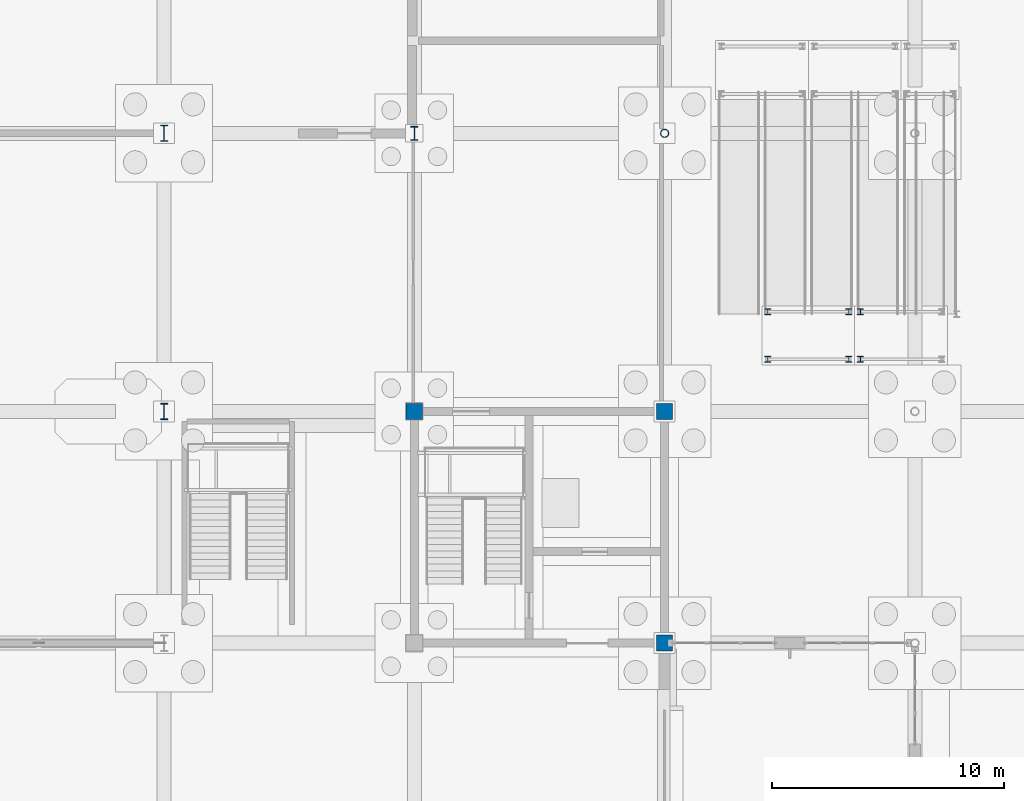
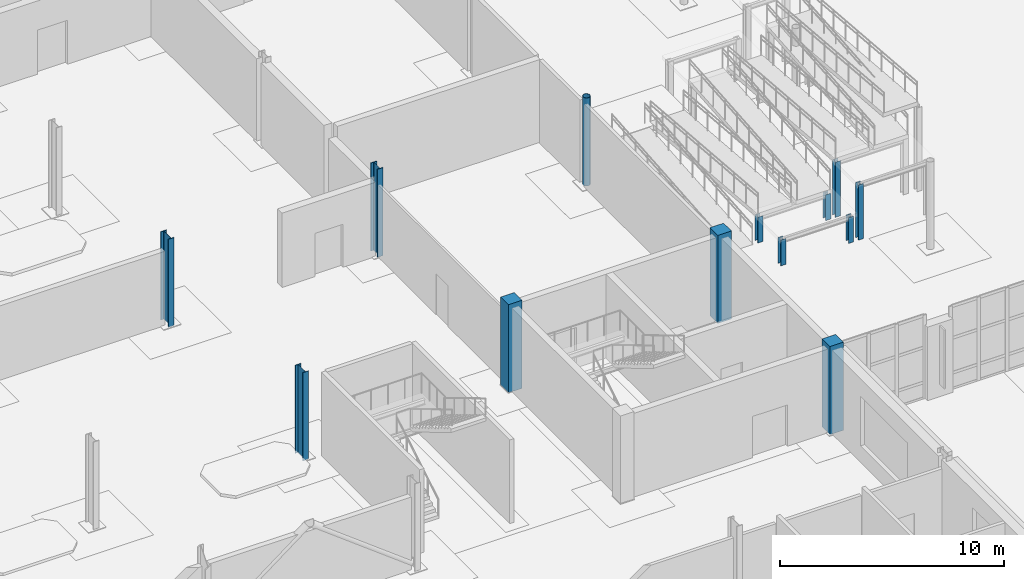
# One storey, part 11 of 73: 13 columns.
"""IFC4 building model written with IfcOpenShell, lengths in metres."""

from ifc_helpers import new_model, si_unit, direction, frame, origin, origin_2d, place, context, subcontext, project, spatial, rectangle, hollow_circle, i_section, extrude, material, material_profile, profile_set, type_object, element, save


model = new_model("IFC4")

# Units and contexts
model_context = context("Model", 3, precision=1e-05, world=origin(), true_north=direction((0.0, 1.0)))
body_context = subcontext(model_context, "Body", "Model", "MODEL_VIEW")
ifc_project = project(units=[si_unit("LENGTHUNIT", "METRE"), si_unit("AREAUNIT", "SQUARE_METRE"), si_unit("VOLUMEUNIT", "CUBIC_METRE"), si_unit("PLANEANGLEUNIT", "RADIAN"), si_unit("MASSUNIT", "GRAM", prefix="KILO")], contexts=[model_context])

# Site, building, storey
site_placement = place(None, origin())
site = spatial("IfcSite", under=ifc_project, at=site_placement, CompositionType="ELEMENT")
building_placement = place(site_placement, origin())
building = spatial("IfcBuilding", under=site, at=building_placement, Name="Tasgan Crest Museum", CompositionType="ELEMENT")
storey_placement = place(building_placement, origin())
storey = spatial("IfcBuildingStorey", under=building, at=storey_placement, Name="L00", CompositionType="ELEMENT", Elevation=0.0)

# Columns
ifc_material_1 = material(Name="Steel S355K2", Category="steel")
ifc_material_profile_1 = material_profile(ifc_material_1, hollow_circle(Radius=0.177734375, WallThickness=0.01611328125, at=origin_2d()), Name="CHS 355.6x16")
ifc_profile_set_1 = profile_set([ifc_material_profile_1], Name="Steel S355K2")
column_type_1 = type_object("IfcColumnType", Name="COL-CHS355", PredefinedType="COLUMN", material=ifc_profile_set_1)
column_1_placement = place(storey_placement, frame((54.0, 62.0, 0.0), z_axis=(0.0, 0.0, 1.0), x_axis=(1.0, 0.0, 0.0)))
element("IfcColumn", 1, at=column_1_placement, inside=storey, type_object=column_type_1, Name="Column 6/G L00", PredefinedType="COLUMN", context=body_context, shape_type="SweptSolid", body=[
    extrude(hollow_circle(Radius=0.177734375, WallThickness=0.01611328125, at=origin_2d()), origin(), (0.0, 0.0, 1.0), 4.800048828125),
])
ifc_material_2 = material(Name="Steel S355K2", Category="steel")
ifc_material_profile_2 = material_profile(ifc_material_2, i_section(OverallWidth=0.300048828125, OverallDepth=0.60009765625, WebThickness=0.015380859375, FlangeThickness=0.030029296875, FilletRadius=0.027099609375, at=origin_2d()), Name="HEB 600")
ifc_profile_set_2 = profile_set([ifc_material_profile_2], Name="Steel S355K2")
column_type_2 = type_object("IfcColumnType", Name="COL-HEB600", PredefinedType="COLUMN", material=ifc_profile_set_2)
column_2_placement = place(storey_placement, frame((43.199951171875, 62.0, 0.0), z_axis=(0.0, 0.0, 1.0), x_axis=(1.0, 0.0, 0.0)))
element("IfcColumn", 2, at=column_2_placement, inside=storey, type_object=column_type_2, Name="Column 5/G L00", PredefinedType="COLUMN", context=body_context, shape_type="SweptSolid", body=[
    extrude(i_section(OverallWidth=0.300048828125, OverallDepth=0.60009765625, WebThickness=0.015380859375, FlangeThickness=0.030029296875, FilletRadius=0.027099609375, at=origin_2d()), origin(), (0.0, 0.0, 1.0), 4.800048828125),
])
ifc_material_3 = material(Name="Steel S355K2", Category="steel")
ifc_material_profile_3 = material_profile(ifc_material_3, i_section(OverallWidth=0.300048828125, OverallDepth=0.699951171875, WebThickness=0.01708984375, FlangeThickness=0.031982421875, FilletRadius=0.027099609375, at=origin_2d()), Name="HEB 700")
ifc_profile_set_3 = profile_set([ifc_material_profile_3], Name="Steel S355K2")
column_type_3 = type_object("IfcColumnType", Name="COL-HEB700", PredefinedType="COLUMN", material=ifc_profile_set_3)
for number, where, z_axis, x_axis, name in (
    (3, (32.39990234375, 50.0, 0.0), (0.0, 0.0, 1.0), (1.0, 0.0, 0.0), "Column 4/F L00"),
    (4, (32.39990234375, 62.0, 0.0), (0.0, 0.0, 1.0), (1.0, 0.0, 0.0), "Column 4/G L00"),
):
    element("IfcColumn", number, at=place(storey_placement, frame(where, z_axis=z_axis, x_axis=x_axis)), inside=storey, type_object=column_type_3, Name=name, PredefinedType="COLUMN", context=body_context, shape_type="SweptSolid", body=[
        extrude(i_section(OverallWidth=0.300048828125, OverallDepth=0.699951171875, WebThickness=0.01708984375, FlangeThickness=0.031982421875, FilletRadius=0.027099609375, at=origin_2d()), origin(), (0.0, 0.0, 1.0), 4.800048828125),
    ])
ifc_material_4 = material(Name="Steel S355J2", Category="steel")
ifc_material_profile_4 = material_profile(ifc_material_4, i_section(OverallWidth=0.260009765625, OverallDepth=0.260009765625, WebThickness=0.010009765625, FlangeThickness=0.017578125, FilletRadius=0.02392578125, at=origin_2d()), Name="HEB 260")
ifc_profile_set_4 = profile_set([ifc_material_profile_4], Name="Steel S355J2")
column_type_4 = type_object("IfcColumnType", Name="COL-RAMP-HEB260", PredefinedType="COLUMN", material=ifc_profile_set_4)
for number, where, z_axis, x_axis, name in (
    (5, (58.449951171875, 52.25, 0.0), (0.0, 0.0, 1.0), (1.0, 0.0, 0.0), "Ramp landing post 2"),
    (6, (58.449951171875, 54.300048828125, 0.0), (0.0, 0.0, 1.0), (1.0, 0.0, 0.0), "Ramp landing post 2"),
    (7, (61.949951171875, 52.25, 0.0), (0.0, 0.0, 1.0), (1.0, 0.0, 0.0), "Ramp landing post 2"),
    (8, (61.949951171875, 54.300048828125, 0.0), (0.0, 0.0, 1.0), (1.0, 0.0, 0.0), "Ramp landing post 2"),
):
    element("IfcColumn", number, at=place(storey_placement, frame(where, z_axis=z_axis, x_axis=x_axis)), inside=storey, type_object=column_type_4, Name=name, PredefinedType="COLUMN", context=body_context, shape_type="SweptSolid", body=[
        extrude(i_section(OverallWidth=0.260009765625, OverallDepth=0.260009765625, WebThickness=0.010009765625, FlangeThickness=0.017578125, FilletRadius=0.02392578125, at=origin_2d()), origin(), (0.0, 0.0, 1.0), 1.39990234375),
    ])
for number, where, z_axis, x_axis, name in (
    (9, (62.449951171875, 52.25, 0.0), (0.0, 0.0, 1.0), (1.0, 0.0, 0.0), "Ramp landing post 4"),
    (10, (62.449951171875, 54.300048828125, 0.0), (0.0, 0.0, 1.0), (1.0, 0.0, 0.0), "Ramp landing post 4"),
):
    element("IfcColumn", number, at=place(storey_placement, frame(where, z_axis=z_axis, x_axis=x_axis)), inside=storey, type_object=column_type_4, Name=name, PredefinedType="COLUMN", context=body_context, shape_type="SweptSolid", body=[
        extrude(i_section(OverallWidth=0.260009765625, OverallDepth=0.260009765625, WebThickness=0.010009765625, FlangeThickness=0.017578125, FilletRadius=0.02392578125, at=origin_2d()), origin(), (0.0, 0.0, 1.0), 3.0),
    ])
ifc_material_5 = material(Name="Concrete C40/50", Category="concrete")
ifc_material_profile_5 = material_profile(ifc_material_5, rectangle(XDim=0.699951171875, YDim=0.699951171875, at=origin_2d()), Name="RC 700x700")
ifc_profile_set_5 = profile_set([ifc_material_profile_5], Name="Concrete C40/50")
column_type_5 = type_object("IfcColumnType", Name="COL-RC700", PredefinedType="COLUMN", material=ifc_profile_set_5)
for number, where, z_axis, x_axis, name in (
    (11, (43.199951171875, 50.0, 0.0), (0.0, 0.0, 1.0), (1.0, 0.0, 0.0), "Column 5/F L00"),
    (12, (54.0, 40.0, 0.0), (0.0, 0.0, 1.0), (1.0, 0.0, 0.0), "Column 6/E L00"),
    (13, (54.0, 50.0, 0.0), (0.0, 0.0, 1.0), (1.0, 0.0, 0.0), "Column 6/F L00"),
):
    element("IfcColumn", number, at=place(storey_placement, frame(where, z_axis=z_axis, x_axis=x_axis)), inside=storey, type_object=column_type_5, Name=name, PredefinedType="COLUMN", context=body_context, shape_type="SweptSolid", body=[
        extrude(rectangle(XDim=0.699951171875, YDim=0.699951171875, at=origin_2d()), origin(), (0.0, 0.0, 1.0), 4.800048828125),
    ])

save(model, "model.ifc")
